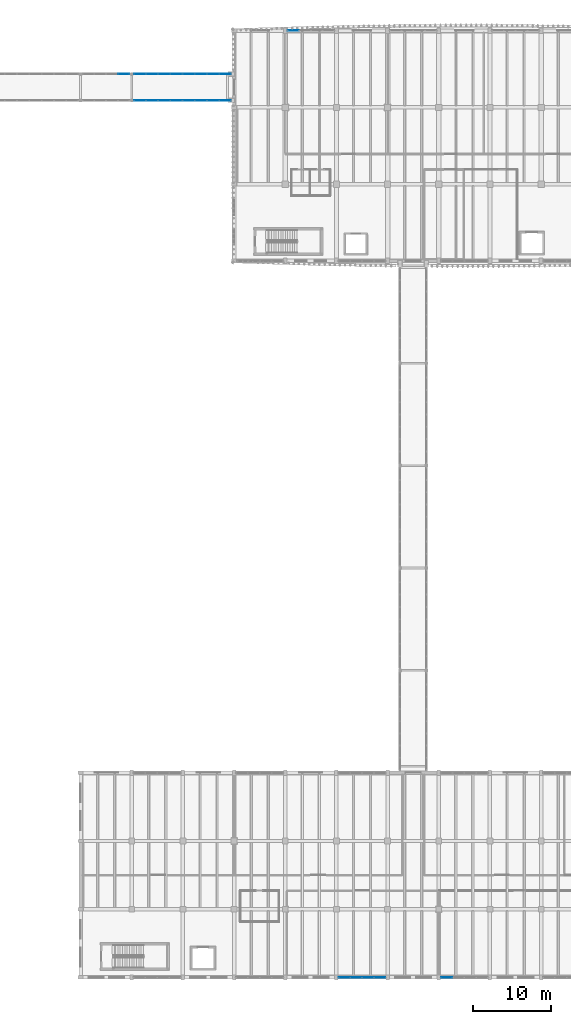
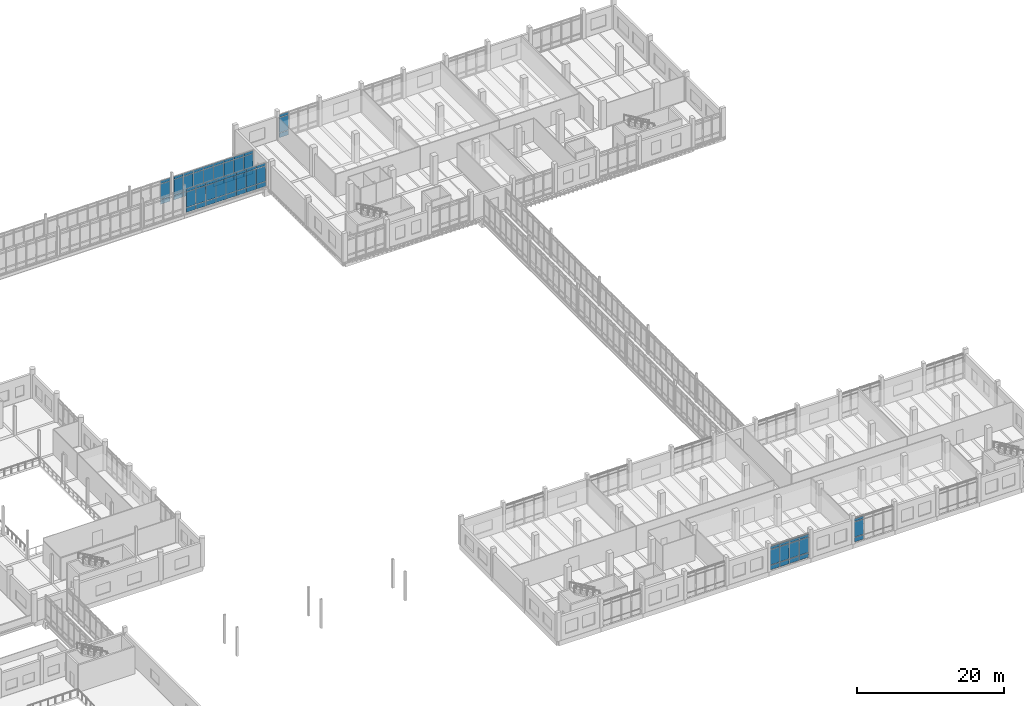
# One storey, part 72 of 125: 69 plates, 6 elements without a shape of their own.
"""IFC4 building model written with IfcOpenShell, lengths in metres."""

import ifcopenshell
import ifcopenshell.guid

model = None  # the IFC model being written
_history = None  # IfcOwnerHistory: only IFC2X3 demands one
_inside = {}  # id of a spatial element -> (the spatial element, [elements in it])
_under = {}  # id of a project, library or spatial element -> (it, [spatial elements below it])
_declared = {}  # id of a project -> (the project, [libraries it declares])
_typed = {}  # id of a type object -> (the type object, [elements of that type])
_made_of = {}  # id of a material, layer set ... -> (it, [elements and type objects made of it])


def new_model(schema):
    """Start an empty IFC model of exactly this schema.

    Asked for "IFC4X3", IfcOpenShell would pick the latest addendum, in which some entities
    have other attributes; the version numbers below select the first issue.
    IFC2X3 requires an IfcOwnerHistory on every rooted entity: one is made here for all.
    """
    global model, _history
    if schema == "IFC4X3":
        model = ifcopenshell.file(schema_version=(4, 3, 0, 0))
    else:
        model = ifcopenshell.file(schema=schema)
    _inside.clear()
    _under.clear()
    _declared.clear()
    _typed.clear()
    _made_of.clear()
    _history = None
    if model.schema == "IFC2X3":
        org = make("IfcOrganization", Name="unknown")
        user = make(
            "IfcPersonAndOrganization",
            ThePerson=make("IfcPerson", FamilyName="unknown"),
            TheOrganization=org,
        )
        app = make(
            "IfcApplication",
            ApplicationDeveloper=org,
            Version="unknown",
            ApplicationFullName="unknown",
            ApplicationIdentifier="unknown",
        )
        _history = make(
            "IfcOwnerHistory",
            OwningUser=user,
            OwningApplication=app,
            ChangeAction="ADDED",
            CreationDate=0,
        )
    return model


def make(cls, **values):
    """One entity of the class cls with the attributes given. An attribute that is None is left unset."""
    return model.create_entity(
        cls, **{name: value for name, value in values.items() if value is not None}
    )


def rooted(cls, **values):
    """An entity with a GlobalId (a new one), such as an element, a storey or a relation."""
    return make(cls, GlobalId=ifcopenshell.guid.new(), OwnerHistory=_history, **values)


def si_unit(unit_type, name, prefix=None):
    """IfcSIUnit, for example si_unit("LENGTHUNIT", "METRE", prefix="MILLI")."""
    return make("IfcSIUnit", UnitType=unit_type, Prefix=prefix, Name=name)


def assignment(units):
    """IfcUnitAssignment: the units of a project."""
    return None if units is None else make("IfcUnitAssignment", Units=units)


def point(xyz):
    """IfcCartesianPoint."""
    return None if xyz is None else make("IfcCartesianPoint", Coordinates=xyz)


def direction(xyz):
    """IfcDirection."""
    return None if xyz is None else make("IfcDirection", DirectionRatios=xyz)


def frame(location, z_axis=None, x_axis=None):
    """IfcAxis2Placement3D, a coordinate frame: its origin and axes. An axis left out is left unset."""
    return make(
        "IfcAxis2Placement3D",
        Location=point(location),
        Axis=direction(z_axis),
        RefDirection=direction(x_axis),
    )


def frame_2d(location, x_axis=None):
    """IfcAxis2Placement2D, a coordinate frame in the plane: its origin and x axis."""
    return make(
        "IfcAxis2Placement2D", Location=point(location), RefDirection=direction(x_axis)
    )


def origin():
    """The frame at (0, 0, 0) with its axes left unset."""
    return frame((0.0, 0.0, 0.0))


def origin_2d():
    """The frame at (0, 0) in the plane with its x axis left unset."""
    return frame_2d((0.0, 0.0))


def place(relative_to, where):
    """IfcLocalPlacement: puts the frame where relative to a parent placement (None: the world)."""
    return make(
        "IfcLocalPlacement", PlacementRelTo=relative_to, RelativePlacement=where
    )


def context(
    kind, dimensions, precision=None, world=None, true_north=None, identifier=None
):
    """IfcGeometricRepresentationContext, for example the 3D "Model" context."""
    return make(
        "IfcGeometricRepresentationContext",
        ContextIdentifier=identifier,
        ContextType=kind,
        CoordinateSpaceDimension=dimensions,
        Precision=precision,
        WorldCoordinateSystem=world,
        TrueNorth=true_north,
    )


def subcontext(parent, identifier, kind, view, scale=None):
    """IfcGeometricRepresentationSubContext, for example "Body" below "Model"."""
    return make(
        "IfcGeometricRepresentationSubContext",
        ContextIdentifier=identifier,
        ContextType=kind,
        ParentContext=parent,
        TargetScale=scale,
        TargetView=view,
    )


def project(units=None, contexts=None):
    """IfcProject with its units and contexts."""
    return rooted(
        "IfcProject",
        Name="project",
        RepresentationContexts=contexts,
        UnitsInContext=assignment(units),
    )


def spatial(cls, under=None, at=None, **own):
    """A site, building, storey or space (cls), placed at a placement, below another one or the project."""
    s = rooted(cls, ObjectPlacement=at, **own)
    if under is not None:
        _under.setdefault(under.id(), (under, []))[1].append(s)
    return s


def profile(cls, at=None, kind="AREA", **sizes):
    """A parametric profile (cls). Its sizes go by their IFC names, for example OverallWidth=200.0."""
    return make(cls, ProfileType=kind, Position=at, **sizes)


def rectangle(**sizes):
    """IfcRectangleProfileDef."""
    return profile("IfcRectangleProfileDef", **sizes)


def extrude(swept, where, along, depth):
    """IfcExtrudedAreaSolid: the profile swept, set in the frame where, extruded along a direction by depth."""
    return make(
        "IfcExtrudedAreaSolid",
        SweptArea=swept,
        Position=where,
        ExtrudedDirection=direction(along),
        Depth=depth,
    )


def shape(context_of_items, identifier, shape_type, items):
    """IfcShapeRepresentation: the items that make up one representation, for example the "Body"."""
    return make(
        "IfcShapeRepresentation",
        ContextOfItems=context_of_items,
        RepresentationIdentifier=identifier,
        RepresentationType=shape_type,
        Items=items,
    )


def material(Name=None, Category=None):
    """IfcMaterial."""
    return make("IfcMaterial", Name=Name, Category=Category)


def layer(
    of_material, thickness, ventilated=None, Name=None, Category=None, Priority=None
):
    """IfcMaterialLayer: one layer of a wall or slab, of a material (None: an air gap)."""
    return make(
        "IfcMaterialLayer",
        Material=of_material,
        LayerThickness=thickness,
        IsVentilated=ventilated,
        Name=Name,
        Category=Category,
        Priority=Priority,
    )


def layer_set(layers, Name=None):
    """IfcMaterialLayerSet."""
    return make("IfcMaterialLayerSet", MaterialLayers=layers, LayerSetName=Name)


def made_of(thing, what):
    """Note that an element or type object is made of a material, layer set ...; save() writes the relation."""
    if what is not None:
        _made_of.setdefault(what.id(), (what, []))[1].append(thing)
    return thing


def type_object(cls, material=None, **own):
    """A type object (cls), such as IfcWallType, which elements share."""
    return made_of(rooted(cls, **own), material)


def element(
    cls,
    number,
    at=None,
    inside=None,
    cuts=None,
    type_object=None,
    material=None,
    context=None,
    identifier="Body",
    shape_type=None,
    held_by="IfcProductDefinitionShape",
    body=None,
    shapes=None,
    **own,
):
    """One element of the class cls, such as IfcWall. Its Tag is "e" and its number.

    at: its placement. inside: the storey or other place that contains it. cuts: it is an
    opening in that element (IfcRelVoidsElement). A single representation is given by context,
    identifier, shape_type and body (its items); several are given by shapes. held_by: the class
    of the entity that holds the representations. save() writes the other relations.
    """
    e = rooted(cls, Tag="e%d" % number, ObjectPlacement=at, **own)
    if body is not None:
        shapes = [shape(context, identifier, shape_type, body)]
    if shapes is not None:
        e.Representation = make(held_by, Representations=shapes)
    if inside is not None:
        _inside.setdefault(inside.id(), (inside, []))[1].append(e)
    if cuts is not None:
        rooted(
            "IfcRelVoidsElement", RelatingBuildingElement=cuts, RelatedOpeningElement=e
        )
    if type_object is not None:
        _typed.setdefault(type_object.id(), (type_object, []))[1].append(e)
    return made_of(e, material)


def aggregate(whole, parts):
    """IfcRelAggregates: a whole, such as a stair, and the parts it consists of."""
    return rooted("IfcRelAggregates", RelatingObject=whole, RelatedObjects=parts)


def save(model, path):
    """Write the relations noted so far, then the file.

    IfcRelAggregates (storeys below a building ...), IfcRelContainedInSpatialStructure (elements
    in a storey), IfcRelDefinesByType, IfcRelAssociatesMaterial and IfcRelDeclares: one each for
    every whole, place, type object, material and project.
    """
    for whole, parts in _under.values():
        aggregate(whole, parts)
    for where, things in _inside.values():
        rooted(
            "IfcRelContainedInSpatialStructure",
            RelatedElements=things,
            RelatingStructure=where,
        )
    for kind, things in _typed.values():
        rooted("IfcRelDefinesByType", RelatedObjects=things, RelatingType=kind)
    for what, things in _made_of.values():
        rooted("IfcRelAssociatesMaterial", RelatedObjects=things, RelatingMaterial=what)
    for by, libraries in _declared.values():
        rooted("IfcRelDeclares", RelatingContext=by, RelatedDefinitions=libraries)
    model.write(path)


model = new_model("IFC4")

# Units and contexts
model_context = context("Model", 3, precision=1e-05, world=origin(), true_north=direction((0.0, 1.0)))
body_context = subcontext(model_context, "Body", "Model", "MODEL_VIEW")
ifc_project = project(units=[si_unit("LENGTHUNIT", "METRE"), si_unit("AREAUNIT", "SQUARE_METRE"), si_unit("VOLUMEUNIT", "CUBIC_METRE"), si_unit("PLANEANGLEUNIT", "RADIAN"), si_unit("MASSUNIT", "GRAM", prefix="KILO")], contexts=[model_context])

# Site, building, storey
site_placement = place(None, origin())
site = spatial("IfcSite", under=ifc_project, at=site_placement, CompositionType="ELEMENT")
building_placement = place(site_placement, origin())
building = spatial("IfcBuilding", under=site, at=building_placement, Name="Dornvale Research Institute", CompositionType="ELEMENT")
storey_placement = place(building_placement, frame((0.0, 0.0, 5.39990234375)))
storey = spatial("IfcBuildingStorey", under=building, at=storey_placement, Name="L01", CompositionType="ELEMENT", Elevation=5.39990234375)

# Curtain wall, plate
ifc_material_1 = material(Name="Low-E Argon Double Insulating Glazing Unit", Category="glass")
curtain_wall_type_1 = type_object("IfcCurtainWallType", Name="UnitisedCurtainWall_V3_6150x4000", PredefinedType="USERDEFINED", material=ifc_material_1)
curtain_wall_1_placement = place(storey_placement, origin())
curtain_wall_1 = element("IfcCurtainWall", 1, at=curtain_wall_1_placement, inside=storey, type_object=curtain_wall_type_1, Name="L01 V3 unitised curtain wall CW-06 #38", ObjectType="UNITISED CURTAIN WALL", PredefinedType="USERDEFINED")
ifc_material_2 = material(Name="Insulated Ceramic-Frit Spandrel Glass Panel", Category="glass")
ifc_layer_1 = layer(ifc_material_2, 0.0419921875)
ifc_layer_set_1 = layer_set([ifc_layer_1], Name="Insulated Ceramic-Frit Spandrel Glass Panel")
plate_type_1 = type_object("IfcPlateType", Name="CurtainPanel_Spandrel_42", PredefinedType="CURTAIN_PANEL", material=ifc_layer_set_1)
plate_1_placement = place(storey_placement, frame((146.2099609375, 0.0, 0.065185546875), z_axis=(0.0, 0.0, 1.0), x_axis=(-1.0, 0.0, 0.0)))
plate_1 = element("IfcPlate", 2, at=plate_1_placement, type_object=plate_type_1, Name="CW-06 panel 4.1", PredefinedType="CURTAIN_PANEL", context=body_context, shape_type="SweptSolid", body=[
    extrude(rectangle(XDim=1.43994140625, YDim=0.0419921875, at=origin_2d()), origin(), (0.0, 0.0, 1.0), 0.75244140625),
])

# Curtain wall, plates
curtain_wall_2_placement = place(storey_placement, origin())
curtain_wall_2 = element("IfcCurtainWall", 3, at=curtain_wall_2_placement, inside=storey, type_object=curtain_wall_type_1, Name="L01 V3 unitised curtain wall CW-06 #39", ObjectType="UNITISED CURTAIN WALL", PredefinedType="USERDEFINED")
plate_2_placement = place(storey_placement, frame((137.590087890625, 0.0, 0.065185546875), z_axis=(0.0, 0.0, 1.0), x_axis=(-1.0, 0.0, 0.0)))
plate_2 = element("IfcPlate", 4, at=plate_2_placement, type_object=plate_type_1, Name="CW-06 panel 1.1", PredefinedType="CURTAIN_PANEL", context=body_context, shape_type="SweptSolid", body=[
    extrude(rectangle(XDim=1.43994140625, YDim=0.0419921875, at=origin_2d()), origin(), (0.0, 0.0, 1.0), 0.75244140625),
])
plate_3_placement = place(storey_placement, frame((136.06884765625, 0.0, 0.065185546875), z_axis=(0.0, 0.0, 1.0), x_axis=(-1.0, 0.0, 0.0)))
plate_3 = element("IfcPlate", 5, at=plate_3_placement, type_object=plate_type_1, Name="CW-06 panel 2.1", PredefinedType="CURTAIN_PANEL", context=body_context, shape_type="SweptSolid", body=[
    extrude(rectangle(XDim=1.472412109375, YDim=0.0419921875, at=origin_2d()), origin(), (0.0, 0.0, 1.0), 0.75244140625),
])
plate_4_placement = place(storey_placement, frame((134.53125, 0.0, 0.065185546875), z_axis=(0.0, 0.0, 1.0), x_axis=(-1.0, 0.0, 0.0)))
plate_4 = element("IfcPlate", 6, at=plate_4_placement, type_object=plate_type_1, Name="CW-06 panel 3.1", PredefinedType="CURTAIN_PANEL", context=body_context, shape_type="SweptSolid", body=[
    extrude(rectangle(XDim=1.472412109375, YDim=0.0419921875, at=origin_2d()), origin(), (0.0, 0.0, 1.0), 0.75244140625),
])
plate_5_placement = place(storey_placement, frame((133.010009765625, 0.0, 0.065185546875), z_axis=(0.0, 0.0, 1.0), x_axis=(-1.0, 0.0, 0.0)))
plate_5 = element("IfcPlate", 7, at=plate_5_placement, type_object=plate_type_1, Name="CW-06 panel 4.1", PredefinedType="CURTAIN_PANEL", context=body_context, shape_type="SweptSolid", body=[
    extrude(rectangle(XDim=1.43994140625, YDim=0.0419921875, at=origin_2d()), origin(), (0.0, 0.0, 1.0), 0.75244140625),
])

# Curtain wall, plate
ifc_material_3 = material(Name="Low-E Argon Double Insulating Glazing Unit", Category="glass")
curtain_wall_type_2 = type_object("IfcCurtainWallType", Name="UnitisedCurtainWall_V4_6100x3950", PredefinedType="USERDEFINED", material=ifc_material_3)
curtain_wall_3_placement = place(storey_placement, origin())
curtain_wall_3 = element("IfcCurtainWall", 8, at=curtain_wall_3_placement, inside=storey, type_object=curtain_wall_type_2, Name="L01 V4 unitised curtain wall CW-11 #73", ObjectType="UNITISED CURTAIN WALL", PredefinedType="USERDEFINED")
plate_6_placement = place(storey_placement, frame((126.4287109375, 122.10009765625, 0.065185546875), z_axis=(0.0, 0.0, 1.0), x_axis=(1.0, 0.0, 0.0)))
plate_6 = element("IfcPlate", 9, at=plate_6_placement, type_object=plate_type_1, Name="CW-11 panel 1.1", PredefinedType="CURTAIN_PANEL", context=body_context, shape_type="SweptSolid", body=[
    extrude(rectangle(XDim=1.427490234375, YDim=0.0419921875, at=origin_2d()), origin(), (0.0, 0.0, 1.0), 0.75244140625),
])

ifc_material_4 = material(Name="Low-E Argon Double Insulating Glazing Unit", Category="glass")
curtain_wall_type_3 = type_object("IfcCurtainWallType", Name="UnitisedCurtainWall_V2_6100x4000", PredefinedType="USERDEFINED", material=ifc_material_4)
curtain_wall_4_placement = place(storey_placement, origin())
curtain_wall_4 = element("IfcCurtainWall", 10, at=curtain_wall_4_placement, inside=storey, type_object=curtain_wall_type_3, Name="L01 V2 unitised curtain wall CW-43 #219", ObjectType="UNITISED CURTAIN WALL", PredefinedType="USERDEFINED")
plate_7_placement = place(storey_placement, frame((104.5712890625, 116.5, 0.065185546875), z_axis=(0.0, 0.0, 1.0), x_axis=(1.0, 0.0, 0.0)))
plate_7 = element("IfcPlate", 11, at=plate_7_placement, type_object=plate_type_1, Name="CW-43 panel 4.1", PredefinedType="CURTAIN_PANEL", context=body_context, shape_type="SweptSolid", body=[
    extrude(rectangle(XDim=1.427490234375, YDim=0.0419921875, at=origin_2d()), origin(), (0.0, 0.0, 1.0), 0.75244140625),
])

# Curtain wall, plates
ifc_material_5 = material(Name="Low-E Argon Double Insulating Glazing Unit", Category="glass")
curtain_wall_type_4 = type_object("IfcCurtainWallType", Name="UnitisedCurtainWall_V2_12600x4000", PredefinedType="USERDEFINED", material=ifc_material_5)
curtain_wall_5_placement = place(storey_placement, origin())
curtain_wall_5 = element("IfcCurtainWall", 12, at=curtain_wall_5_placement, inside=storey, type_object=curtain_wall_type_4, Name="L01 V2 unitised curtain wall CW-41 #221", ObjectType="UNITISED CURTAIN WALL", PredefinedType="USERDEFINED")
plate_8_placement = place(storey_placement, frame((106.65380859375, 116.5, 0.065185546875), z_axis=(0.0, 0.0, 1.0), x_axis=(1.0, 0.0, 0.0)))
plate_8 = element("IfcPlate", 13, at=plate_8_placement, type_object=plate_type_1, Name="CW-41 panel 1.1", PredefinedType="CURTAIN_PANEL", context=body_context, shape_type="SweptSolid", body=[
    extrude(rectangle(XDim=1.4775390625, YDim=0.0419921875, at=origin_2d()), origin(), (0.0, 0.0, 1.0), 0.75244140625),
])
plate_9_placement = place(storey_placement, frame((108.21240234375, 116.5, 0.065185546875), z_axis=(0.0, 0.0, 1.0), x_axis=(1.0, 0.0, 0.0)))
plate_9 = element("IfcPlate", 14, at=plate_9_placement, type_object=plate_type_1, Name="CW-41 panel 2.1", PredefinedType="CURTAIN_PANEL", context=body_context, shape_type="SweptSolid", body=[
    extrude(rectangle(XDim=1.510009765625, YDim=0.0419921875, at=origin_2d()), origin(), (0.0, 0.0, 1.0), 0.75244140625),
])
plate_10_placement = place(storey_placement, frame((109.78759765625, 116.5, 0.065185546875), z_axis=(0.0, 0.0, 1.0), x_axis=(1.0, 0.0, 0.0)))
plate_10 = element("IfcPlate", 15, at=plate_10_placement, type_object=plate_type_1, Name="CW-41 panel 3.1", PredefinedType="CURTAIN_PANEL", context=body_context, shape_type="SweptSolid", body=[
    extrude(rectangle(XDim=1.510009765625, YDim=0.0419921875, at=origin_2d()), origin(), (0.0, 0.0, 1.0), 0.75244140625),
])
plate_11_placement = place(storey_placement, frame((111.362548828125, 116.5, 0.065185546875), z_axis=(0.0, 0.0, 1.0), x_axis=(1.0, 0.0, 0.0)))
plate_11 = element("IfcPlate", 16, at=plate_11_placement, type_object=plate_type_1, Name="CW-41 panel 4.1", PredefinedType="CURTAIN_PANEL", context=body_context, shape_type="SweptSolid", body=[
    extrude(rectangle(XDim=1.510009765625, YDim=0.0419921875, at=origin_2d()), origin(), (0.0, 0.0, 1.0), 0.75244140625),
])
plate_12_placement = place(storey_placement, frame((112.9375, 116.5, 0.065185546875), z_axis=(0.0, 0.0, 1.0), x_axis=(1.0, 0.0, 0.0)))
plate_12 = element("IfcPlate", 17, at=plate_12_placement, type_object=plate_type_1, Name="CW-41 panel 5.1", PredefinedType="CURTAIN_PANEL", context=body_context, shape_type="SweptSolid", body=[
    extrude(rectangle(XDim=1.510009765625, YDim=0.0419921875, at=origin_2d()), origin(), (0.0, 0.0, 1.0), 0.75244140625),
])
plate_13_placement = place(storey_placement, frame((114.512451171875, 116.5, 0.065185546875), z_axis=(0.0, 0.0, 1.0), x_axis=(1.0, 0.0, 0.0)))
plate_13 = element("IfcPlate", 18, at=plate_13_placement, type_object=plate_type_1, Name="CW-41 panel 6.1", PredefinedType="CURTAIN_PANEL", context=body_context, shape_type="SweptSolid", body=[
    extrude(rectangle(XDim=1.510009765625, YDim=0.0419921875, at=origin_2d()), origin(), (0.0, 0.0, 1.0), 0.75244140625),
])
plate_14_placement = place(storey_placement, frame((116.08740234375, 116.5, 0.065185546875), z_axis=(0.0, 0.0, 1.0), x_axis=(1.0, 0.0, 0.0)))
plate_14 = element("IfcPlate", 19, at=plate_14_placement, type_object=plate_type_1, Name="CW-41 panel 7.1", PredefinedType="CURTAIN_PANEL", context=body_context, shape_type="SweptSolid", body=[
    extrude(rectangle(XDim=1.510009765625, YDim=0.0419921875, at=origin_2d()), origin(), (0.0, 0.0, 1.0), 0.75244140625),
])
plate_15_placement = place(storey_placement, frame((117.646240234375, 116.5, 0.065185546875), z_axis=(0.0, 0.0, 1.0), x_axis=(1.0, 0.0, 0.0)))
plate_15 = element("IfcPlate", 20, at=plate_15_placement, type_object=plate_type_1, Name="CW-41 panel 8.1", PredefinedType="CURTAIN_PANEL", context=body_context, shape_type="SweptSolid", body=[
    extrude(rectangle(XDim=1.4775390625, YDim=0.0419921875, at=origin_2d()), origin(), (0.0, 0.0, 1.0), 0.75244140625),
])

curtain_wall_6_placement = place(storey_placement, origin())
curtain_wall_6 = element("IfcCurtainWall", 21, at=curtain_wall_6_placement, inside=storey, type_object=curtain_wall_type_4, Name="L01 V2 unitised curtain wall CW-41 #222", ObjectType="UNITISED CURTAIN WALL", PredefinedType="USERDEFINED")
plate_16_placement = place(storey_placement, frame((117.646240234375, 113.10009765625, 0.065185546875), z_axis=(0.0, 0.0, 1.0), x_axis=(-1.0, 0.0, 0.0)))
plate_16 = element("IfcPlate", 22, at=plate_16_placement, type_object=plate_type_1, Name="CW-41 panel 1.1", PredefinedType="CURTAIN_PANEL", context=body_context, shape_type="SweptSolid", body=[
    extrude(rectangle(XDim=1.4775390625, YDim=0.0419921875, at=origin_2d()), origin(), (0.0, 0.0, 1.0), 0.75244140625),
])
plate_17_placement = place(storey_placement, frame((116.08740234375, 113.10009765625, 0.065185546875), z_axis=(0.0, 0.0, 1.0), x_axis=(-1.0, 0.0, 0.0)))
plate_17 = element("IfcPlate", 23, at=plate_17_placement, type_object=plate_type_1, Name="CW-41 panel 2.1", PredefinedType="CURTAIN_PANEL", context=body_context, shape_type="SweptSolid", body=[
    extrude(rectangle(XDim=1.510009765625, YDim=0.0419921875, at=origin_2d()), origin(), (0.0, 0.0, 1.0), 0.75244140625),
])
plate_18_placement = place(storey_placement, frame((114.512451171875, 113.10009765625, 0.065185546875), z_axis=(0.0, 0.0, 1.0), x_axis=(-1.0, 0.0, 0.0)))
plate_18 = element("IfcPlate", 24, at=plate_18_placement, type_object=plate_type_1, Name="CW-41 panel 3.1", PredefinedType="CURTAIN_PANEL", context=body_context, shape_type="SweptSolid", body=[
    extrude(rectangle(XDim=1.510009765625, YDim=0.0419921875, at=origin_2d()), origin(), (0.0, 0.0, 1.0), 0.75244140625),
])
plate_19_placement = place(storey_placement, frame((112.9375, 113.10009765625, 0.065185546875), z_axis=(0.0, 0.0, 1.0), x_axis=(-1.0, 0.0, 0.0)))
plate_19 = element("IfcPlate", 25, at=plate_19_placement, type_object=plate_type_1, Name="CW-41 panel 4.1", PredefinedType="CURTAIN_PANEL", context=body_context, shape_type="SweptSolid", body=[
    extrude(rectangle(XDim=1.510009765625, YDim=0.0419921875, at=origin_2d()), origin(), (0.0, 0.0, 1.0), 0.75244140625),
])
plate_20_placement = place(storey_placement, frame((111.362548828125, 113.10009765625, 0.065185546875), z_axis=(0.0, 0.0, 1.0), x_axis=(-1.0, 0.0, 0.0)))
plate_20 = element("IfcPlate", 26, at=plate_20_placement, type_object=plate_type_1, Name="CW-41 panel 5.1", PredefinedType="CURTAIN_PANEL", context=body_context, shape_type="SweptSolid", body=[
    extrude(rectangle(XDim=1.510009765625, YDim=0.0419921875, at=origin_2d()), origin(), (0.0, 0.0, 1.0), 0.75244140625),
])
plate_21_placement = place(storey_placement, frame((109.78759765625, 113.10009765625, 0.065185546875), z_axis=(0.0, 0.0, 1.0), x_axis=(-1.0, 0.0, 0.0)))
plate_21 = element("IfcPlate", 27, at=plate_21_placement, type_object=plate_type_1, Name="CW-41 panel 6.1", PredefinedType="CURTAIN_PANEL", context=body_context, shape_type="SweptSolid", body=[
    extrude(rectangle(XDim=1.510009765625, YDim=0.0419921875, at=origin_2d()), origin(), (0.0, 0.0, 1.0), 0.75244140625),
])
plate_22_placement = place(storey_placement, frame((108.21240234375, 113.10009765625, 0.065185546875), z_axis=(0.0, 0.0, 1.0), x_axis=(-1.0, 0.0, 0.0)))
plate_22 = element("IfcPlate", 28, at=plate_22_placement, type_object=plate_type_1, Name="CW-41 panel 7.1", PredefinedType="CURTAIN_PANEL", context=body_context, shape_type="SweptSolid", body=[
    extrude(rectangle(XDim=1.510009765625, YDim=0.0419921875, at=origin_2d()), origin(), (0.0, 0.0, 1.0), 0.75244140625),
])
plate_23_placement = place(storey_placement, frame((106.65380859375, 113.10009765625, 0.065185546875), z_axis=(0.0, 0.0, 1.0), x_axis=(-1.0, 0.0, 0.0)))
plate_23 = element("IfcPlate", 29, at=plate_23_placement, type_object=plate_type_1, Name="CW-41 panel 8.1", PredefinedType="CURTAIN_PANEL", context=body_context, shape_type="SweptSolid", body=[
    extrude(rectangle(XDim=1.4775390625, YDim=0.0419921875, at=origin_2d()), origin(), (0.0, 0.0, 1.0), 0.75244140625),
])

# Plate
ifc_material_6 = material(Name="Low-E Argon Double Insulating Glazing Unit", Category="glass")
ifc_layer_2 = layer(ifc_material_6, 0.028076171875)
ifc_layer_set_2 = layer_set([ifc_layer_2], Name="Low-E Argon Double Insulating Glazing Unit")
plate_type_2 = type_object("IfcPlateType", Name="CurtainPanel_Vision_28", PredefinedType="CURTAIN_PANEL", material=ifc_layer_set_2)
plate_24_placement = place(storey_placement, frame((146.2099609375, 0.0, 0.8828125), z_axis=(0.0, 0.0, 1.0), x_axis=(-1.0, 0.0, 0.0)))
plate_24 = element("IfcPlate", 30, at=plate_24_placement, type_object=plate_type_2, Name="CW-06 panel 4.2", PredefinedType="CURTAIN_PANEL", context=body_context, shape_type="SweptSolid", body=[
    extrude(rectangle(XDim=1.43994140625, YDim=0.028076171875, at=origin_2d()), origin(), (0.0, 0.0, 1.0), 2.534912109375),
])

plate_25_placement = place(storey_placement, frame((146.2099609375, 0.0, 3.482421875), z_axis=(0.0, 0.0, 1.0), x_axis=(-1.0, 0.0, 0.0)))
plate_25 = element("IfcPlate", 31, at=plate_25_placement, type_object=plate_type_2, Name="CW-06 panel 4.3", PredefinedType="CURTAIN_PANEL", context=body_context, shape_type="SweptSolid", body=[
    extrude(rectangle(XDim=1.43994140625, YDim=0.028076171875, at=origin_2d()), origin(), (0.0, 0.0, 1.0), 0.452392578125),
])

aggregate(curtain_wall_1, [plate_1, plate_24, plate_25])

plate_26_placement = place(storey_placement, frame((137.590087890625, 0.0, 0.8828125), z_axis=(0.0, 0.0, 1.0), x_axis=(-1.0, 0.0, 0.0)))
plate_26 = element("IfcPlate", 32, at=plate_26_placement, type_object=plate_type_2, Name="CW-06 panel 1.2", PredefinedType="CURTAIN_PANEL", context=body_context, shape_type="SweptSolid", body=[
    extrude(rectangle(XDim=1.43994140625, YDim=0.028076171875, at=origin_2d()), origin(), (0.0, 0.0, 1.0), 2.534912109375),
])

plate_27_placement = place(storey_placement, frame((137.590087890625, 0.0, 3.482421875), z_axis=(0.0, 0.0, 1.0), x_axis=(-1.0, 0.0, 0.0)))
plate_27 = element("IfcPlate", 33, at=plate_27_placement, type_object=plate_type_2, Name="CW-06 panel 1.3", PredefinedType="CURTAIN_PANEL", context=body_context, shape_type="SweptSolid", body=[
    extrude(rectangle(XDim=1.43994140625, YDim=0.028076171875, at=origin_2d()), origin(), (0.0, 0.0, 1.0), 0.452392578125),
])

plate_28_placement = place(storey_placement, frame((136.06884765625, 0.0, 0.8828125), z_axis=(0.0, 0.0, 1.0), x_axis=(-1.0, 0.0, 0.0)))
plate_28 = element("IfcPlate", 34, at=plate_28_placement, type_object=plate_type_2, Name="CW-06 panel 2.2", PredefinedType="CURTAIN_PANEL", context=body_context, shape_type="SweptSolid", body=[
    extrude(rectangle(XDim=1.472412109375, YDim=0.028076171875, at=origin_2d()), origin(), (0.0, 0.0, 1.0), 2.534912109375),
])

plate_29_placement = place(storey_placement, frame((136.06884765625, 0.0, 3.482421875), z_axis=(0.0, 0.0, 1.0), x_axis=(-1.0, 0.0, 0.0)))
plate_29 = element("IfcPlate", 35, at=plate_29_placement, type_object=plate_type_2, Name="CW-06 panel 2.3", PredefinedType="CURTAIN_PANEL", context=body_context, shape_type="SweptSolid", body=[
    extrude(rectangle(XDim=1.472412109375, YDim=0.028076171875, at=origin_2d()), origin(), (0.0, 0.0, 1.0), 0.452392578125),
])

plate_30_placement = place(storey_placement, frame((134.53125, 0.0, 0.8828125), z_axis=(0.0, 0.0, 1.0), x_axis=(-1.0, 0.0, 0.0)))
plate_30 = element("IfcPlate", 36, at=plate_30_placement, type_object=plate_type_2, Name="CW-06 panel 3.2", PredefinedType="CURTAIN_PANEL", context=body_context, shape_type="SweptSolid", body=[
    extrude(rectangle(XDim=1.472412109375, YDim=0.028076171875, at=origin_2d()), origin(), (0.0, 0.0, 1.0), 2.534912109375),
])

plate_31_placement = place(storey_placement, frame((134.53125, 0.0, 3.482421875), z_axis=(0.0, 0.0, 1.0), x_axis=(-1.0, 0.0, 0.0)))
plate_31 = element("IfcPlate", 37, at=plate_31_placement, type_object=plate_type_2, Name="CW-06 panel 3.3", PredefinedType="CURTAIN_PANEL", context=body_context, shape_type="SweptSolid", body=[
    extrude(rectangle(XDim=1.472412109375, YDim=0.028076171875, at=origin_2d()), origin(), (0.0, 0.0, 1.0), 0.452392578125),
])

plate_32_placement = place(storey_placement, frame((133.010009765625, 0.0, 0.8828125), z_axis=(0.0, 0.0, 1.0), x_axis=(-1.0, 0.0, 0.0)))
plate_32 = element("IfcPlate", 38, at=plate_32_placement, type_object=plate_type_2, Name="CW-06 panel 4.2", PredefinedType="CURTAIN_PANEL", context=body_context, shape_type="SweptSolid", body=[
    extrude(rectangle(XDim=1.43994140625, YDim=0.028076171875, at=origin_2d()), origin(), (0.0, 0.0, 1.0), 2.534912109375),
])

plate_33_placement = place(storey_placement, frame((133.010009765625, 0.0, 3.482421875), z_axis=(0.0, 0.0, 1.0), x_axis=(-1.0, 0.0, 0.0)))
plate_33 = element("IfcPlate", 39, at=plate_33_placement, type_object=plate_type_2, Name="CW-06 panel 4.3", PredefinedType="CURTAIN_PANEL", context=body_context, shape_type="SweptSolid", body=[
    extrude(rectangle(XDim=1.43994140625, YDim=0.028076171875, at=origin_2d()), origin(), (0.0, 0.0, 1.0), 0.452392578125),
])

aggregate(curtain_wall_2, [plate_2, plate_26, plate_27, plate_3, plate_28, plate_29, plate_4, plate_30, plate_31, plate_5, plate_32, plate_33])

plate_34_placement = place(storey_placement, frame((126.4287109375, 122.10009765625, 0.88232421875), z_axis=(0.0, 0.0, 1.0), x_axis=(1.0, 0.0, 0.0)))
plate_34 = element("IfcPlate", 40, at=plate_34_placement, type_object=plate_type_2, Name="CW-11 panel 1.2", PredefinedType="CURTAIN_PANEL", context=body_context, shape_type="SweptSolid", body=[
    extrude(rectangle(XDim=1.427490234375, YDim=0.028076171875, at=origin_2d()), origin(), (0.0, 0.0, 1.0), 2.485107421875),
])

plate_35_placement = place(storey_placement, frame((126.4287109375, 122.10009765625, 3.4326171875), z_axis=(0.0, 0.0, 1.0), x_axis=(1.0, 0.0, 0.0)))
plate_35 = element("IfcPlate", 41, at=plate_35_placement, type_object=plate_type_2, Name="CW-11 panel 1.3", PredefinedType="CURTAIN_PANEL", context=body_context, shape_type="SweptSolid", body=[
    extrude(rectangle(XDim=1.427490234375, YDim=0.028076171875, at=origin_2d()), origin(), (0.0, 0.0, 1.0), 0.452392578125),
])

aggregate(curtain_wall_3, [plate_6, plate_34, plate_35])

plate_36_placement = place(storey_placement, frame((104.5712890625, 116.5, 0.8828125), z_axis=(0.0, 0.0, 1.0), x_axis=(1.0, 0.0, 0.0)))
plate_36 = element("IfcPlate", 42, at=plate_36_placement, type_object=plate_type_2, Name="CW-43 panel 4.2", PredefinedType="CURTAIN_PANEL", context=body_context, shape_type="SweptSolid", body=[
    extrude(rectangle(XDim=1.427490234375, YDim=0.028076171875, at=origin_2d()), origin(), (0.0, 0.0, 1.0), 2.534912109375),
])

plate_37_placement = place(storey_placement, frame((104.5712890625, 116.5, 3.482421875), z_axis=(0.0, 0.0, 1.0), x_axis=(1.0, 0.0, 0.0)))
plate_37 = element("IfcPlate", 43, at=plate_37_placement, type_object=plate_type_2, Name="CW-43 panel 4.3", PredefinedType="CURTAIN_PANEL", context=body_context, shape_type="SweptSolid", body=[
    extrude(rectangle(XDim=1.427490234375, YDim=0.028076171875, at=origin_2d()), origin(), (0.0, 0.0, 1.0), 0.452392578125),
])

aggregate(curtain_wall_4, [plate_7, plate_36, plate_37])

plate_38_placement = place(storey_placement, frame((106.65380859375, 116.5, 0.8828125), z_axis=(0.0, 0.0, 1.0), x_axis=(1.0, 0.0, 0.0)))
plate_38 = element("IfcPlate", 44, at=plate_38_placement, type_object=plate_type_2, Name="CW-41 panel 1.2", PredefinedType="CURTAIN_PANEL", context=body_context, shape_type="SweptSolid", body=[
    extrude(rectangle(XDim=1.4775390625, YDim=0.028076171875, at=origin_2d()), origin(), (0.0, 0.0, 1.0), 2.534912109375),
])

plate_39_placement = place(storey_placement, frame((106.65380859375, 116.5, 3.482421875), z_axis=(0.0, 0.0, 1.0), x_axis=(1.0, 0.0, 0.0)))
plate_39 = element("IfcPlate", 45, at=plate_39_placement, type_object=plate_type_2, Name="CW-41 panel 1.3", PredefinedType="CURTAIN_PANEL", context=body_context, shape_type="SweptSolid", body=[
    extrude(rectangle(XDim=1.4775390625, YDim=0.028076171875, at=origin_2d()), origin(), (0.0, 0.0, 1.0), 0.452392578125),
])

plate_40_placement = place(storey_placement, frame((108.21240234375, 116.5, 0.8828125), z_axis=(0.0, 0.0, 1.0), x_axis=(1.0, 0.0, 0.0)))
plate_40 = element("IfcPlate", 46, at=plate_40_placement, type_object=plate_type_2, Name="CW-41 panel 2.2", PredefinedType="CURTAIN_PANEL", context=body_context, shape_type="SweptSolid", body=[
    extrude(rectangle(XDim=1.510009765625, YDim=0.028076171875, at=origin_2d()), origin(), (0.0, 0.0, 1.0), 2.534912109375),
])

plate_41_placement = place(storey_placement, frame((108.21240234375, 116.5, 3.482421875), z_axis=(0.0, 0.0, 1.0), x_axis=(1.0, 0.0, 0.0)))
plate_41 = element("IfcPlate", 47, at=plate_41_placement, type_object=plate_type_2, Name="CW-41 panel 2.3", PredefinedType="CURTAIN_PANEL", context=body_context, shape_type="SweptSolid", body=[
    extrude(rectangle(XDim=1.510009765625, YDim=0.028076171875, at=origin_2d()), origin(), (0.0, 0.0, 1.0), 0.452392578125),
])

plate_42_placement = place(storey_placement, frame((109.78759765625, 116.5, 0.8828125), z_axis=(0.0, 0.0, 1.0), x_axis=(1.0, 0.0, 0.0)))
plate_42 = element("IfcPlate", 48, at=plate_42_placement, type_object=plate_type_2, Name="CW-41 panel 3.2", PredefinedType="CURTAIN_PANEL", context=body_context, shape_type="SweptSolid", body=[
    extrude(rectangle(XDim=1.510009765625, YDim=0.028076171875, at=origin_2d()), origin(), (0.0, 0.0, 1.0), 2.534912109375),
])

plate_43_placement = place(storey_placement, frame((109.78759765625, 116.5, 3.482421875), z_axis=(0.0, 0.0, 1.0), x_axis=(1.0, 0.0, 0.0)))
plate_43 = element("IfcPlate", 49, at=plate_43_placement, type_object=plate_type_2, Name="CW-41 panel 3.3", PredefinedType="CURTAIN_PANEL", context=body_context, shape_type="SweptSolid", body=[
    extrude(rectangle(XDim=1.510009765625, YDim=0.028076171875, at=origin_2d()), origin(), (0.0, 0.0, 1.0), 0.452392578125),
])

plate_44_placement = place(storey_placement, frame((111.362548828125, 116.5, 0.8828125), z_axis=(0.0, 0.0, 1.0), x_axis=(1.0, 0.0, 0.0)))
plate_44 = element("IfcPlate", 50, at=plate_44_placement, type_object=plate_type_2, Name="CW-41 panel 4.2", PredefinedType="CURTAIN_PANEL", context=body_context, shape_type="SweptSolid", body=[
    extrude(rectangle(XDim=1.510009765625, YDim=0.028076171875, at=origin_2d()), origin(), (0.0, 0.0, 1.0), 2.534912109375),
])

plate_45_placement = place(storey_placement, frame((111.362548828125, 116.5, 3.482421875), z_axis=(0.0, 0.0, 1.0), x_axis=(1.0, 0.0, 0.0)))
plate_45 = element("IfcPlate", 51, at=plate_45_placement, type_object=plate_type_2, Name="CW-41 panel 4.3", PredefinedType="CURTAIN_PANEL", context=body_context, shape_type="SweptSolid", body=[
    extrude(rectangle(XDim=1.510009765625, YDim=0.028076171875, at=origin_2d()), origin(), (0.0, 0.0, 1.0), 0.452392578125),
])

plate_46_placement = place(storey_placement, frame((112.9375, 116.5, 0.8828125), z_axis=(0.0, 0.0, 1.0), x_axis=(1.0, 0.0, 0.0)))
plate_46 = element("IfcPlate", 52, at=plate_46_placement, type_object=plate_type_2, Name="CW-41 panel 5.2", PredefinedType="CURTAIN_PANEL", context=body_context, shape_type="SweptSolid", body=[
    extrude(rectangle(XDim=1.510009765625, YDim=0.028076171875, at=origin_2d()), origin(), (0.0, 0.0, 1.0), 2.534912109375),
])

plate_47_placement = place(storey_placement, frame((112.9375, 116.5, 3.482421875), z_axis=(0.0, 0.0, 1.0), x_axis=(1.0, 0.0, 0.0)))
plate_47 = element("IfcPlate", 53, at=plate_47_placement, type_object=plate_type_2, Name="CW-41 panel 5.3", PredefinedType="CURTAIN_PANEL", context=body_context, shape_type="SweptSolid", body=[
    extrude(rectangle(XDim=1.510009765625, YDim=0.028076171875, at=origin_2d()), origin(), (0.0, 0.0, 1.0), 0.452392578125),
])

plate_48_placement = place(storey_placement, frame((114.512451171875, 116.5, 0.8828125), z_axis=(0.0, 0.0, 1.0), x_axis=(1.0, 0.0, 0.0)))
plate_48 = element("IfcPlate", 54, at=plate_48_placement, type_object=plate_type_2, Name="CW-41 panel 6.2", PredefinedType="CURTAIN_PANEL", context=body_context, shape_type="SweptSolid", body=[
    extrude(rectangle(XDim=1.510009765625, YDim=0.028076171875, at=origin_2d()), origin(), (0.0, 0.0, 1.0), 2.534912109375),
])

plate_49_placement = place(storey_placement, frame((114.512451171875, 116.5, 3.482421875), z_axis=(0.0, 0.0, 1.0), x_axis=(1.0, 0.0, 0.0)))
plate_49 = element("IfcPlate", 55, at=plate_49_placement, type_object=plate_type_2, Name="CW-41 panel 6.3", PredefinedType="CURTAIN_PANEL", context=body_context, shape_type="SweptSolid", body=[
    extrude(rectangle(XDim=1.510009765625, YDim=0.028076171875, at=origin_2d()), origin(), (0.0, 0.0, 1.0), 0.452392578125),
])

plate_50_placement = place(storey_placement, frame((116.08740234375, 116.5, 0.8828125), z_axis=(0.0, 0.0, 1.0), x_axis=(1.0, 0.0, 0.0)))
plate_50 = element("IfcPlate", 56, at=plate_50_placement, type_object=plate_type_2, Name="CW-41 panel 7.2", PredefinedType="CURTAIN_PANEL", context=body_context, shape_type="SweptSolid", body=[
    extrude(rectangle(XDim=1.510009765625, YDim=0.028076171875, at=origin_2d()), origin(), (0.0, 0.0, 1.0), 2.534912109375),
])

plate_51_placement = place(storey_placement, frame((116.08740234375, 116.5, 3.482421875), z_axis=(0.0, 0.0, 1.0), x_axis=(1.0, 0.0, 0.0)))
plate_51 = element("IfcPlate", 57, at=plate_51_placement, type_object=plate_type_2, Name="CW-41 panel 7.3", PredefinedType="CURTAIN_PANEL", context=body_context, shape_type="SweptSolid", body=[
    extrude(rectangle(XDim=1.510009765625, YDim=0.028076171875, at=origin_2d()), origin(), (0.0, 0.0, 1.0), 0.452392578125),
])

plate_52_placement = place(storey_placement, frame((117.646240234375, 116.5, 0.8828125), z_axis=(0.0, 0.0, 1.0), x_axis=(1.0, 0.0, 0.0)))
plate_52 = element("IfcPlate", 58, at=plate_52_placement, type_object=plate_type_2, Name="CW-41 panel 8.2", PredefinedType="CURTAIN_PANEL", context=body_context, shape_type="SweptSolid", body=[
    extrude(rectangle(XDim=1.4775390625, YDim=0.028076171875, at=origin_2d()), origin(), (0.0, 0.0, 1.0), 2.534912109375),
])

plate_53_placement = place(storey_placement, frame((117.646240234375, 116.5, 3.482421875), z_axis=(0.0, 0.0, 1.0), x_axis=(1.0, 0.0, 0.0)))
plate_53 = element("IfcPlate", 59, at=plate_53_placement, type_object=plate_type_2, Name="CW-41 panel 8.3", PredefinedType="CURTAIN_PANEL", context=body_context, shape_type="SweptSolid", body=[
    extrude(rectangle(XDim=1.4775390625, YDim=0.028076171875, at=origin_2d()), origin(), (0.0, 0.0, 1.0), 0.452392578125),
])

aggregate(curtain_wall_5, [plate_8, plate_38, plate_39, plate_9, plate_40, plate_41, plate_10, plate_42, plate_43, plate_11, plate_44, plate_45, plate_12, plate_46, plate_47, plate_13, plate_48, plate_49, plate_14, plate_50, plate_51, plate_15, plate_52, plate_53])

plate_54_placement = place(storey_placement, frame((117.646240234375, 113.10009765625, 0.8828125), z_axis=(0.0, 0.0, 1.0), x_axis=(-1.0, 0.0, 0.0)))
plate_54 = element("IfcPlate", 60, at=plate_54_placement, type_object=plate_type_2, Name="CW-41 panel 1.2", PredefinedType="CURTAIN_PANEL", context=body_context, shape_type="SweptSolid", body=[
    extrude(rectangle(XDim=1.4775390625, YDim=0.028076171875, at=origin_2d()), origin(), (0.0, 0.0, 1.0), 2.534912109375),
])

plate_55_placement = place(storey_placement, frame((117.646240234375, 113.10009765625, 3.482421875), z_axis=(0.0, 0.0, 1.0), x_axis=(-1.0, 0.0, 0.0)))
plate_55 = element("IfcPlate", 61, at=plate_55_placement, type_object=plate_type_2, Name="CW-41 panel 1.3", PredefinedType="CURTAIN_PANEL", context=body_context, shape_type="SweptSolid", body=[
    extrude(rectangle(XDim=1.4775390625, YDim=0.028076171875, at=origin_2d()), origin(), (0.0, 0.0, 1.0), 0.452392578125),
])

plate_56_placement = place(storey_placement, frame((116.08740234375, 113.10009765625, 0.8828125), z_axis=(0.0, 0.0, 1.0), x_axis=(-1.0, 0.0, 0.0)))
plate_56 = element("IfcPlate", 62, at=plate_56_placement, type_object=plate_type_2, Name="CW-41 panel 2.2", PredefinedType="CURTAIN_PANEL", context=body_context, shape_type="SweptSolid", body=[
    extrude(rectangle(XDim=1.510009765625, YDim=0.028076171875, at=origin_2d()), origin(), (0.0, 0.0, 1.0), 2.534912109375),
])

plate_57_placement = place(storey_placement, frame((116.08740234375, 113.10009765625, 3.482421875), z_axis=(0.0, 0.0, 1.0), x_axis=(-1.0, 0.0, 0.0)))
plate_57 = element("IfcPlate", 63, at=plate_57_placement, type_object=plate_type_2, Name="CW-41 panel 2.3", PredefinedType="CURTAIN_PANEL", context=body_context, shape_type="SweptSolid", body=[
    extrude(rectangle(XDim=1.510009765625, YDim=0.028076171875, at=origin_2d()), origin(), (0.0, 0.0, 1.0), 0.452392578125),
])

plate_58_placement = place(storey_placement, frame((114.512451171875, 113.10009765625, 0.8828125), z_axis=(0.0, 0.0, 1.0), x_axis=(-1.0, 0.0, 0.0)))
plate_58 = element("IfcPlate", 64, at=plate_58_placement, type_object=plate_type_2, Name="CW-41 panel 3.2", PredefinedType="CURTAIN_PANEL", context=body_context, shape_type="SweptSolid", body=[
    extrude(rectangle(XDim=1.510009765625, YDim=0.028076171875, at=origin_2d()), origin(), (0.0, 0.0, 1.0), 2.534912109375),
])

plate_59_placement = place(storey_placement, frame((114.512451171875, 113.10009765625, 3.482421875), z_axis=(0.0, 0.0, 1.0), x_axis=(-1.0, 0.0, 0.0)))
plate_59 = element("IfcPlate", 65, at=plate_59_placement, type_object=plate_type_2, Name="CW-41 panel 3.3", PredefinedType="CURTAIN_PANEL", context=body_context, shape_type="SweptSolid", body=[
    extrude(rectangle(XDim=1.510009765625, YDim=0.028076171875, at=origin_2d()), origin(), (0.0, 0.0, 1.0), 0.452392578125),
])

plate_60_placement = place(storey_placement, frame((112.9375, 113.10009765625, 0.8828125), z_axis=(0.0, 0.0, 1.0), x_axis=(-1.0, 0.0, 0.0)))
plate_60 = element("IfcPlate", 66, at=plate_60_placement, type_object=plate_type_2, Name="CW-41 panel 4.2", PredefinedType="CURTAIN_PANEL", context=body_context, shape_type="SweptSolid", body=[
    extrude(rectangle(XDim=1.510009765625, YDim=0.028076171875, at=origin_2d()), origin(), (0.0, 0.0, 1.0), 2.534912109375),
])

plate_61_placement = place(storey_placement, frame((112.9375, 113.10009765625, 3.482421875), z_axis=(0.0, 0.0, 1.0), x_axis=(-1.0, 0.0, 0.0)))
plate_61 = element("IfcPlate", 67, at=plate_61_placement, type_object=plate_type_2, Name="CW-41 panel 4.3", PredefinedType="CURTAIN_PANEL", context=body_context, shape_type="SweptSolid", body=[
    extrude(rectangle(XDim=1.510009765625, YDim=0.028076171875, at=origin_2d()), origin(), (0.0, 0.0, 1.0), 0.452392578125),
])

plate_62_placement = place(storey_placement, frame((111.362548828125, 113.10009765625, 0.8828125), z_axis=(0.0, 0.0, 1.0), x_axis=(-1.0, 0.0, 0.0)))
plate_62 = element("IfcPlate", 68, at=plate_62_placement, type_object=plate_type_2, Name="CW-41 panel 5.2", PredefinedType="CURTAIN_PANEL", context=body_context, shape_type="SweptSolid", body=[
    extrude(rectangle(XDim=1.510009765625, YDim=0.028076171875, at=origin_2d()), origin(), (0.0, 0.0, 1.0), 2.534912109375),
])

plate_63_placement = place(storey_placement, frame((111.362548828125, 113.10009765625, 3.482421875), z_axis=(0.0, 0.0, 1.0), x_axis=(-1.0, 0.0, 0.0)))
plate_63 = element("IfcPlate", 69, at=plate_63_placement, type_object=plate_type_2, Name="CW-41 panel 5.3", PredefinedType="CURTAIN_PANEL", context=body_context, shape_type="SweptSolid", body=[
    extrude(rectangle(XDim=1.510009765625, YDim=0.028076171875, at=origin_2d()), origin(), (0.0, 0.0, 1.0), 0.452392578125),
])

plate_64_placement = place(storey_placement, frame((109.78759765625, 113.10009765625, 0.8828125), z_axis=(0.0, 0.0, 1.0), x_axis=(-1.0, 0.0, 0.0)))
plate_64 = element("IfcPlate", 70, at=plate_64_placement, type_object=plate_type_2, Name="CW-41 panel 6.2", PredefinedType="CURTAIN_PANEL", context=body_context, shape_type="SweptSolid", body=[
    extrude(rectangle(XDim=1.510009765625, YDim=0.028076171875, at=origin_2d()), origin(), (0.0, 0.0, 1.0), 2.534912109375),
])

plate_65_placement = place(storey_placement, frame((109.78759765625, 113.10009765625, 3.482421875), z_axis=(0.0, 0.0, 1.0), x_axis=(-1.0, 0.0, 0.0)))
plate_65 = element("IfcPlate", 71, at=plate_65_placement, type_object=plate_type_2, Name="CW-41 panel 6.3", PredefinedType="CURTAIN_PANEL", context=body_context, shape_type="SweptSolid", body=[
    extrude(rectangle(XDim=1.510009765625, YDim=0.028076171875, at=origin_2d()), origin(), (0.0, 0.0, 1.0), 0.452392578125),
])

plate_66_placement = place(storey_placement, frame((108.21240234375, 113.10009765625, 0.8828125), z_axis=(0.0, 0.0, 1.0), x_axis=(-1.0, 0.0, 0.0)))
plate_66 = element("IfcPlate", 72, at=plate_66_placement, type_object=plate_type_2, Name="CW-41 panel 7.2", PredefinedType="CURTAIN_PANEL", context=body_context, shape_type="SweptSolid", body=[
    extrude(rectangle(XDim=1.510009765625, YDim=0.028076171875, at=origin_2d()), origin(), (0.0, 0.0, 1.0), 2.534912109375),
])

plate_67_placement = place(storey_placement, frame((108.21240234375, 113.10009765625, 3.482421875), z_axis=(0.0, 0.0, 1.0), x_axis=(-1.0, 0.0, 0.0)))
plate_67 = element("IfcPlate", 73, at=plate_67_placement, type_object=plate_type_2, Name="CW-41 panel 7.3", PredefinedType="CURTAIN_PANEL", context=body_context, shape_type="SweptSolid", body=[
    extrude(rectangle(XDim=1.510009765625, YDim=0.028076171875, at=origin_2d()), origin(), (0.0, 0.0, 1.0), 0.452392578125),
])

plate_68_placement = place(storey_placement, frame((106.65380859375, 113.10009765625, 0.8828125), z_axis=(0.0, 0.0, 1.0), x_axis=(-1.0, 0.0, 0.0)))
plate_68 = element("IfcPlate", 74, at=plate_68_placement, type_object=plate_type_2, Name="CW-41 panel 8.2", PredefinedType="CURTAIN_PANEL", context=body_context, shape_type="SweptSolid", body=[
    extrude(rectangle(XDim=1.4775390625, YDim=0.028076171875, at=origin_2d()), origin(), (0.0, 0.0, 1.0), 2.534912109375),
])

plate_69_placement = place(storey_placement, frame((106.65380859375, 113.10009765625, 3.482421875), z_axis=(0.0, 0.0, 1.0), x_axis=(-1.0, 0.0, 0.0)))
plate_69 = element("IfcPlate", 75, at=plate_69_placement, type_object=plate_type_2, Name="CW-41 panel 8.3", PredefinedType="CURTAIN_PANEL", context=body_context, shape_type="SweptSolid", body=[
    extrude(rectangle(XDim=1.4775390625, YDim=0.028076171875, at=origin_2d()), origin(), (0.0, 0.0, 1.0), 0.452392578125),
])

aggregate(curtain_wall_6, [plate_16, plate_54, plate_55, plate_17, plate_56, plate_57, plate_18, plate_58, plate_59, plate_19, plate_60, plate_61, plate_20, plate_62, plate_63, plate_21, plate_64, plate_65, plate_22, plate_66, plate_67, plate_23, plate_68, plate_69])

save(model, "model.ifc")
